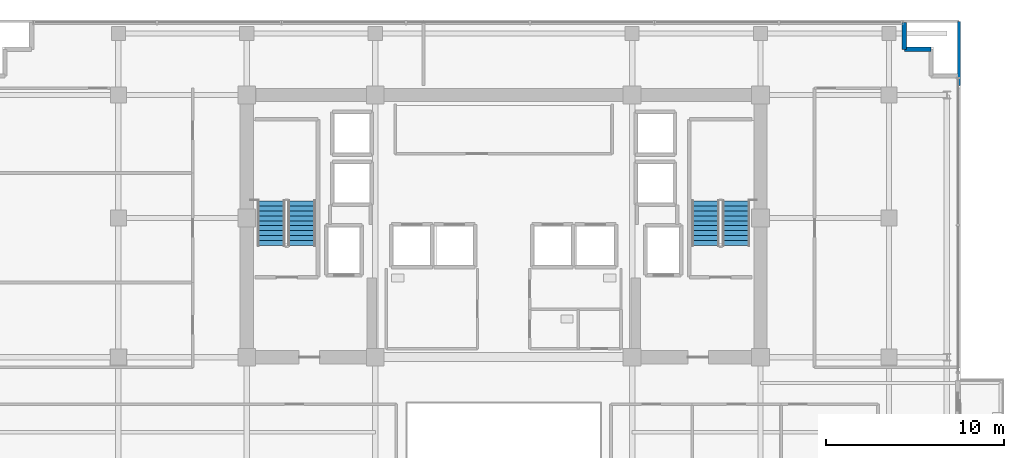
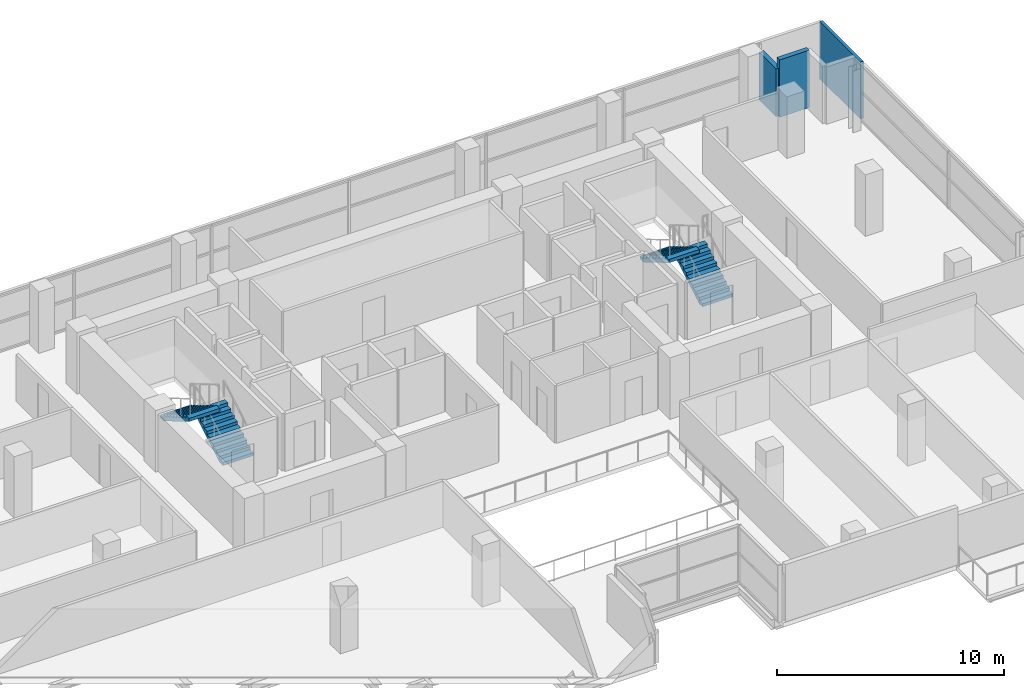
# One storey, part 22 of 27: 4 stair flights, 3 walls, 2 elements without a shape of their own.
"""IFC4 building model written with IfcOpenShell, lengths in metres."""

from ifc_helpers import new_model, si_unit, direction, frame, frame_2d, origin, place, context, subcontext, project, spatial, polyline, rectangle, outline, extrude, material, layer, layer_set, type_object, element, aggregate, save


model = new_model("IFC4")

# Units and contexts
model_context = context("Model", 3, precision=1e-05, world=origin(), true_north=direction((0.0, 1.0)))
body_context = subcontext(model_context, "Body", "Model", "MODEL_VIEW")
ifc_project = project(units=[si_unit("LENGTHUNIT", "METRE"), si_unit("AREAUNIT", "SQUARE_METRE"), si_unit("VOLUMEUNIT", "CUBIC_METRE"), si_unit("PLANEANGLEUNIT", "RADIAN"), si_unit("MASSUNIT", "GRAM", prefix="KILO")], contexts=[model_context])

# Site, building, storey
site_placement = place(None, origin())
site = spatial("IfcSite", under=ifc_project, at=site_placement, CompositionType="ELEMENT")
building_placement = place(site_placement, origin())
building = spatial("IfcBuilding", under=site, at=building_placement, Name="Zarnakvel Exchange Tower", CompositionType="ELEMENT")
storey_placement = place(building_placement, frame((0.0, 0.0, 106.60009765625)))
storey = spatial("IfcBuildingStorey", under=building, at=storey_placement, Name="L29", CompositionType="ELEMENT", Elevation=106.60009765625)

# Walls
ifc_material_1 = material(Name="Precast concrete C40/50", Category="concrete")
ifc_layer_1 = layer(ifc_material_1, 0.239990234375)
ifc_layer_set_1 = layer_set([ifc_layer_1], Name="Precast concrete C40/50")
wall_type_1 = type_object("IfcWallType", Name="EW-02", PredefinedType="SOLIDWALL", material=ifc_layer_set_1)
wall_1_placement = place(storey_placement, frame((22.4599609375, 16.06005859375, 0.0), z_axis=(0.0, 0.0, 1.0), x_axis=(0.0, 1.0, 0.0)))
element("IfcWall", 1, at=wall_1_placement, inside=storey, type_object=wall_type_1, Name="L29 Exterior Precast Spandrel Wall EWC-L29-05 (EW-02)", PredefinedType="SOLIDWALL", context=body_context, shape_type="SweptSolid", body=[
    extrude(rectangle(XDim=1.5, YDim=0.239990234375, at=frame_2d((0.75, 0.0))), origin(), (0.0, 0.0, 1.0), 2.56494140625),
])
wall_2_placement = place(storey_placement, frame((23.9599609375, 16.06005859375, 0.0), z_axis=(0.0, 0.0, 1.0), x_axis=(-1.0, 0.0, 0.0)))
element("IfcWall", 2, at=wall_2_placement, inside=storey, type_object=wall_type_1, Name="L29 Exterior Precast Spandrel Wall EWC-L29-06 (EW-02)", PredefinedType="SOLIDWALL", context=body_context, shape_type="SweptSolid", body=[
    extrude(rectangle(XDim=1.5, YDim=0.239990234375, at=frame_2d((0.75, 0.0))), origin(), (0.0, 0.0, 1.0), 3.074951171875),
])
ifc_material_2 = material(Name="Fire-Rated Gypsum Stud Partition", Category="gypsum")
ifc_layer_2 = layer(ifc_material_2, 0.14990234375)
ifc_layer_set_2 = layer_set([ifc_layer_2], Name="Fire-Rated Gypsum Stud Partition")
wall_type_2 = type_object("IfcWallType", Name="PT-01", PredefinedType="PARTITIONING", material=ifc_layer_set_2)
wall_3_placement = place(storey_placement, frame((25.530029296875, 17.6298828125, 0.0), z_axis=(0.0, 0.0, 1.0), x_axis=(0.0, -1.0, 0.0)))
element("IfcWall", 3, at=wall_3_placement, inside=storey, type_object=wall_type_2, Name="L29 Partition Wall PWALL-L29-057 (PT-01)", PredefinedType="PARTITIONING", context=body_context, shape_type="SweptSolid", body=[
    extrude(rectangle(XDim=3.599853515625, YDim=0.14990234375, at=frame_2d((1.7998046875, 0.0))), origin(), (0.0, 0.0, 1.0), 3.074951171875),
])

# Stair, stair flights
ifc_material_3 = material(Name="Concrete C40/50", Category="concrete")
stair_type = type_object("IfcStairType", Name="STR-01", PredefinedType="HALF_TURN_STAIR", material=ifc_material_3)
stair_1_placement = place(storey_placement, origin())
stair_1 = element("IfcStair", 4, at=stair_1_placement, inside=storey, type_object=stair_type, Name="L29 Protected Core Exit Stair ST-01", PredefinedType="HALF_TURN_STAIR")
stair_flight_type = type_object("IfcStairFlightType", Name="FLT-01", PredefinedType="STRAIGHT", material=ifc_material_3)
stair_flight_1_placement = place(storey_placement, frame((-11.31494140625, 5.050048828125, 0.0), z_axis=(0.0, 0.0, 1.0), x_axis=(0.0, 1.0, 0.0)))
stair_flight_1 = element("IfcStairFlight", 5, at=stair_flight_1_placement, type_object=stair_flight_type, Name="ST-01 flight 1", NumberOfRisers=10, NumberOfTreads=9, PredefinedType="STRAIGHT", RiserHeight=0.165, TreadLength=0.28, context=body_context, shape_type="SweptSolid", body=[
    extrude(outline(polyline([(0.0, 0.0), (0.0, 0.1650390625), (0.280029296875, 0.1650390625), (0.280029296875, 0.330078125), (0.56005859375, 0.330078125), (0.56005859375, 0.4951171875), (0.840087890625, 0.4951171875), (0.840087890625, 0.659912109375), (1.1201171875, 0.659912109375), (1.1201171875, 0.824951171875), (1.39990234375, 0.824951171875), (1.39990234375, 0.989990234375), (1.679931640625, 0.989990234375), (1.679931640625, 1.155029296875), (1.9599609375, 1.155029296875), (1.9599609375, 1.320068359375), (2.239990234375, 1.320068359375), (2.239990234375, 1.485107421875), (2.52001953125, 1.485107421875), (2.52001953125, 1.64990234375), (2.52001953125, 1.31103515625), (0.295166015625, 0.0), (0.0, 0.0)])), frame((0.0, 0.77490234375, 0.0), z_axis=(0.0, -1.0, 0.0), x_axis=(1.0, 0.0, 0.0)), (0.0, 0.0, 1.0), 1.550048828125),
])
stair_flight_2_placement = place(storey_placement, frame((-13.02490234375, 7.570068359375, 1.64990234375), z_axis=(0.0, 0.0, 1.0), x_axis=(0.0, -1.0, 0.0)))
stair_flight_2 = element("IfcStairFlight", 6, at=stair_flight_2_placement, type_object=stair_flight_type, Name="ST-01 flight 2", NumberOfRisers=10, NumberOfTreads=9, PredefinedType="STRAIGHT", RiserHeight=0.165, TreadLength=0.28, context=body_context, shape_type="SweptSolid", body=[
    extrude(outline(polyline([(0.0, 0.0), (0.0, 0.1650390625), (0.280029296875, 0.1650390625), (0.280029296875, 0.330078125), (0.56005859375, 0.330078125), (0.56005859375, 0.4951171875), (0.840087890625, 0.4951171875), (0.840087890625, 0.659912109375), (1.1201171875, 0.659912109375), (1.1201171875, 0.824951171875), (1.39990234375, 0.824951171875), (1.39990234375, 0.989990234375), (1.679931640625, 0.989990234375), (1.679931640625, 1.155029296875), (1.9599609375, 1.155029296875), (1.9599609375, 1.320068359375), (2.239990234375, 1.320068359375), (2.239990234375, 1.485107421875), (2.52001953125, 1.485107421875), (2.52001953125, 1.64990234375), (2.52001953125, 1.31103515625), (0.295166015625, 0.0), (0.0, 0.0)])), frame((0.0, 0.77490234375, 0.0), z_axis=(0.0, -1.0, 0.0), x_axis=(1.0, 0.0, 0.0)), (0.0, 0.0, 1.0), 1.550048828125),
])
aggregate(stair_1, [stair_flight_1, stair_flight_2])

stair_2_placement = place(storey_placement, origin())
stair_2 = element("IfcStair", 7, at=stair_2_placement, inside=storey, type_object=stair_type, Name="L29 Protected Core Exit Stair ST-02", PredefinedType="HALF_TURN_STAIR")
stair_flight_3_placement = place(storey_placement, frame((13.02490234375, 5.050048828125, 0.0), z_axis=(0.0, 0.0, 1.0), x_axis=(0.0, 1.0, 0.0)))
stair_flight_3 = element("IfcStairFlight", 8, at=stair_flight_3_placement, type_object=stair_flight_type, Name="ST-02 flight 1", NumberOfRisers=10, NumberOfTreads=9, PredefinedType="STRAIGHT", RiserHeight=0.165, TreadLength=0.28, context=body_context, shape_type="SweptSolid", body=[
    extrude(outline(polyline([(0.0, 0.0), (0.0, 0.1650390625), (0.280029296875, 0.1650390625), (0.280029296875, 0.330078125), (0.56005859375, 0.330078125), (0.56005859375, 0.4951171875), (0.840087890625, 0.4951171875), (0.840087890625, 0.659912109375), (1.1201171875, 0.659912109375), (1.1201171875, 0.824951171875), (1.39990234375, 0.824951171875), (1.39990234375, 0.989990234375), (1.679931640625, 0.989990234375), (1.679931640625, 1.155029296875), (1.9599609375, 1.155029296875), (1.9599609375, 1.320068359375), (2.239990234375, 1.320068359375), (2.239990234375, 1.485107421875), (2.52001953125, 1.485107421875), (2.52001953125, 1.64990234375), (2.52001953125, 1.31103515625), (0.295166015625, 0.0), (0.0, 0.0)])), frame((0.0, 0.77490234375, 0.0), z_axis=(0.0, -1.0, 0.0), x_axis=(1.0, 0.0, 0.0)), (0.0, 0.0, 1.0), 1.550048828125),
])
stair_flight_4_placement = place(storey_placement, frame((11.31494140625, 7.570068359375, 1.64990234375), z_axis=(0.0, 0.0, 1.0), x_axis=(0.0, -1.0, 0.0)))
stair_flight_4 = element("IfcStairFlight", 9, at=stair_flight_4_placement, type_object=stair_flight_type, Name="ST-02 flight 2", NumberOfRisers=10, NumberOfTreads=9, PredefinedType="STRAIGHT", RiserHeight=0.165, TreadLength=0.28, context=body_context, shape_type="SweptSolid", body=[
    extrude(outline(polyline([(0.0, 0.0), (0.0, 0.1650390625), (0.280029296875, 0.1650390625), (0.280029296875, 0.330078125), (0.56005859375, 0.330078125), (0.56005859375, 0.4951171875), (0.840087890625, 0.4951171875), (0.840087890625, 0.659912109375), (1.1201171875, 0.659912109375), (1.1201171875, 0.824951171875), (1.39990234375, 0.824951171875), (1.39990234375, 0.989990234375), (1.679931640625, 0.989990234375), (1.679931640625, 1.155029296875), (1.9599609375, 1.155029296875), (1.9599609375, 1.320068359375), (2.239990234375, 1.320068359375), (2.239990234375, 1.485107421875), (2.52001953125, 1.485107421875), (2.52001953125, 1.64990234375), (2.52001953125, 1.31103515625), (0.295166015625, 0.0), (0.0, 0.0)])), frame((0.0, 0.77490234375, 0.0), z_axis=(0.0, -1.0, 0.0), x_axis=(1.0, 0.0, 0.0)), (0.0, 0.0, 1.0), 1.550048828125),
])
aggregate(stair_2, [stair_flight_3, stair_flight_4])

save(model, "model.ifc")
